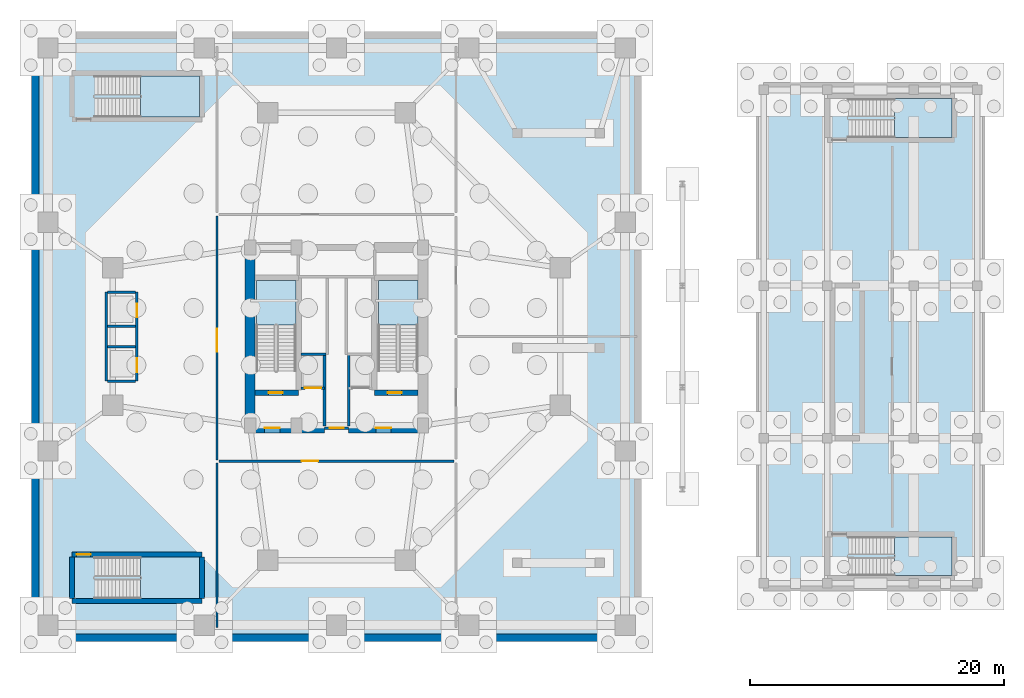
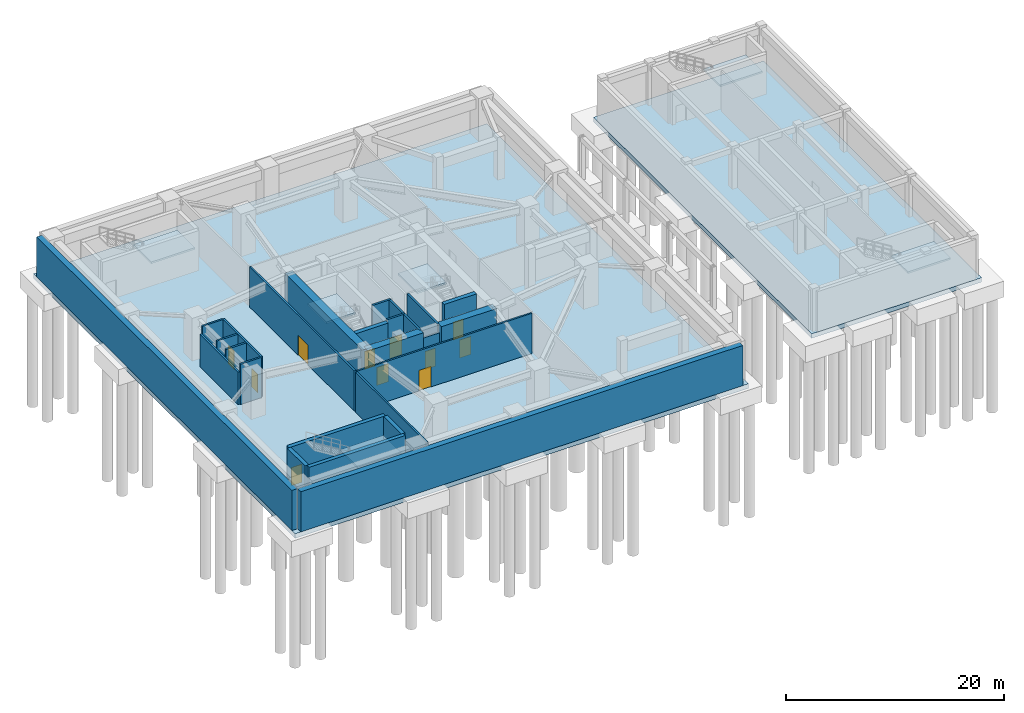
# One storey, part 6 of 11: 25 walls, 11 doors, 8 slabs, 11 openings, 6 elements without a shape of their own.
"""IFC4 building model written with IfcOpenShell, lengths in metres."""

from ifc_helpers import new_model, si_unit, direction, frame, frame_2d, origin, place, context, subcontext, project, spatial, polyline, rectangle, outline, extrude, source, transform, mapped, material, layer, layer_set, type_object, element, fill, aggregate, save


model = new_model("IFC4")

# Units and contexts
model_context = context("Model", 3, precision=1e-05, world=origin(), true_north=direction((0.0, 1.0)))
body_context = subcontext(model_context, "Body", "Model", "MODEL_VIEW")
ifc_project = project(units=[si_unit("LENGTHUNIT", "METRE"), si_unit("AREAUNIT", "SQUARE_METRE"), si_unit("VOLUMEUNIT", "CUBIC_METRE"), si_unit("PLANEANGLEUNIT", "RADIAN"), si_unit("MASSUNIT", "GRAM", prefix="KILO")], contexts=[model_context])

# Site, building, storey
site_placement = place(None, origin())
site = spatial("IfcSite", under=ifc_project, at=site_placement, CompositionType="ELEMENT")
building_placement = place(site_placement, origin())
building = spatial("IfcBuilding", under=site, at=building_placement, Name="Veraguas Prism Commons", CompositionType="ELEMENT")
storey_placement = place(building_placement, frame((0.0, 0.0, -10.0)))
storey = spatial("IfcBuildingStorey", under=building, at=storey_placement, Name="B2", CompositionType="ELEMENT", Elevation=-10.0)

# Slabs
ifc_material_1 = material(Name="Concrete C45/55", Category="concrete")
ifc_layer_1 = layer(ifc_material_1, 0.5, Name="Metro Substructure Base Slab RC 500", Category="concrete")
ifc_layer_set_1 = layer_set([ifc_layer_1], Name="Concrete C45/55")
slab_type_1 = type_object("IfcSlabType", Name="Metro Substructure Base Slab RC 500", PredefinedType="BASESLAB", material=ifc_layer_set_1)
slab_1_placement = place(storey_placement, frame((0.0, 0.0, -0.5)))
element("IfcSlab", 1, at=slab_1_placement, inside=storey, type_object=slab_type_1, Name="Podium and Station Slab B2", PredefinedType="BASESLAB", context=body_context, shape_type="SweptSolid", body=[
    extrude(outline(polyline([(0.0, 0.0), (48.0, 0.0), (48.0, 48.0), (0.0, 48.0), (0.0, 0.0)])), origin(), (0.0, 0.0, 1.0), 0.5),
])
slab_2_placement = place(storey_placement, frame((0.0, 0.0, -0.5)))
element("IfcSlab", 2, at=slab_2_placement, inside=storey, type_object=slab_type_1, Name="Health Centre Floor Slab B2", PredefinedType="BASESLAB", context=body_context, shape_type="SweptSolid", body=[
    extrude(outline(polyline([(57.0, 4.0), (75.0, 4.0), (75.0, 44.0), (57.0, 44.0), (57.0, 4.0)])), origin(), (0.0, 0.0, 1.0), 0.5),
])

# Stair, slab
ifc_material_2 = material(Name="Precast concrete C45/55", Category="concrete")
stair_type_1 = type_object("IfcStairType", Name="Dogleg Core Stair 1480W 28R 01", PredefinedType="HALF_TURN_STAIR", material=ifc_material_2)
stair_1_placement = place(storey_placement, origin())
stair_1 = element("IfcStair", 3, at=stair_1_placement, inside=storey, type_object=stair_type_1, Name="Protected Exit Stair ST-01 B2", PredefinedType="HALF_TURN_STAIR")
ifc_layer_2 = layer(ifc_material_2, 0.199951171875, Name="Precast Stair and Ramp Landing Slab 200", Category="concrete")
ifc_layer_set_2 = layer_set([ifc_layer_2], Name="Precast concrete C45/55")
slab_type_2 = type_object("IfcSlabType", Name="Precast Stair and Ramp Landing Slab 200", PredefinedType="LANDING", material=ifc_layer_set_2)
slab_3_placement = place(storey_placement, frame((0.0, 0.0, 2.199951171875)))
slab_3 = element("IfcSlab", 4, at=slab_3_placement, type_object=slab_type_2, Name="ST-01 Landing 1", PredefinedType="LANDING", context=body_context, shape_type="SweptSolid", body=[
    extrude(outline(polyline([(20.800048828125, 24.919921875), (20.800048828125, 28.39990234375), (17.68994140625, 28.39990234375), (17.68994140625, 24.919921875), (20.800048828125, 24.919921875)])), origin(), (0.0, 0.0, 1.0), 0.199951171875),
])
aggregate(stair_1, [slab_3])

stair_2_placement = place(storey_placement, origin())
stair_2 = element("IfcStair", 5, at=stair_2_placement, inside=storey, type_object=stair_type_1, Name="Protected Exit Stair ST-02 B2", PredefinedType="HALF_TURN_STAIR")
slab_4_placement = place(storey_placement, frame((0.0, 0.0, 2.199951171875)))
slab_4 = element("IfcSlab", 6, at=slab_4_placement, type_object=slab_type_2, Name="ST-01 Landing 1", PredefinedType="LANDING", context=body_context, shape_type="SweptSolid", body=[
    extrude(outline(polyline([(30.39990234375, 24.919921875), (30.39990234375, 28.39990234375), (27.2900390625, 28.39990234375), (27.2900390625, 24.919921875), (30.39990234375, 24.919921875)])), origin(), (0.0, 0.0, 1.0), 0.199951171875),
])
aggregate(stair_2, [slab_4])

stair_type_2 = type_object("IfcStairType", Name="Dogleg Core Stair 1550W 28R 09", PredefinedType="HALF_TURN_STAIR", material=ifc_material_2)
stair_3_placement = place(storey_placement, origin())
stair_3 = element("IfcStair", 7, at=stair_3_placement, inside=storey, type_object=stair_type_2, Name="Protected Exit Stair ST-M1 B2", PredefinedType="HALF_TURN_STAIR")
slab_5_placement = place(storey_placement, frame((0.0, 0.0, 2.199951171875)))
slab_5 = element("IfcSlab", 8, at=slab_5_placement, type_object=slab_type_2, Name="ST-09 Landing 1", PredefinedType="LANDING", context=body_context, shape_type="SweptSolid", body=[
    extrude(outline(polyline([(8.590087890625, 3.39990234375), (13.199951171875, 3.39990234375), (13.199951171875, 6.64990234375), (8.590087890625, 6.64990234375), (8.590087890625, 3.39990234375)])), origin(), (0.0, 0.0, 1.0), 0.199951171875),
])
aggregate(stair_3, [slab_5])

stair_4_placement = place(storey_placement, origin())
stair_4 = element("IfcStair", 9, at=stair_4_placement, inside=storey, type_object=stair_type_2, Name="Protected Exit Stair ST-M2 B2", PredefinedType="HALF_TURN_STAIR")
slab_6_placement = place(storey_placement, frame((0.0, 0.0, 2.199951171875)))
slab_6 = element("IfcSlab", 10, at=slab_6_placement, type_object=slab_type_2, Name="ST-09 Landing 1", PredefinedType="LANDING", context=body_context, shape_type="SweptSolid", body=[
    extrude(outline(polyline([(8.590087890625, 41.260009765625), (13.199951171875, 41.260009765625), (13.199951171875, 44.510009765625), (8.590087890625, 44.510009765625), (8.590087890625, 41.260009765625)])), origin(), (0.0, 0.0, 1.0), 0.199951171875),
])
aggregate(stair_4, [slab_6])

stair_type_3 = type_object("IfcStairType", Name="Dogleg Core Stair 1450W 28R 12", PredefinedType="HALF_TURN_STAIR", material=ifc_material_2)
stair_5_placement = place(storey_placement, origin())
stair_5 = element("IfcStair", 11, at=stair_5_placement, inside=storey, type_object=stair_type_3, Name="Protected Exit Stair ST-H1 B2", PredefinedType="HALF_TURN_STAIR")
slab_7_placement = place(storey_placement, frame((0.0, 0.0, 2.199951171875)))
slab_7 = element("IfcSlab", 12, at=slab_7_placement, type_object=slab_type_2, Name="ST-12 Landing 1", PredefinedType="LANDING", context=body_context, shape_type="SweptSolid", body=[
    extrude(outline(polyline([(67.889892578125, 5.199951171875), (72.39990234375, 5.199951171875), (72.39990234375, 8.25), (67.889892578125, 8.25), (67.889892578125, 5.199951171875)])), origin(), (0.0, 0.0, 1.0), 0.199951171875),
])
aggregate(stair_5, [slab_7])

stair_6_placement = place(storey_placement, origin())
stair_6 = element("IfcStair", 13, at=stair_6_placement, inside=storey, type_object=stair_type_3, Name="Protected Exit Stair ST-H2 B2", PredefinedType="HALF_TURN_STAIR")
slab_8_placement = place(storey_placement, frame((0.0, 0.0, 2.199951171875)))
slab_8 = element("IfcSlab", 14, at=slab_8_placement, type_object=slab_type_2, Name="ST-12 Landing 1", PredefinedType="LANDING", context=body_context, shape_type="SweptSolid", body=[
    extrude(outline(polyline([(67.889892578125, 39.659912109375), (72.39990234375, 39.659912109375), (72.39990234375, 42.7099609375), (67.889892578125, 42.7099609375), (67.889892578125, 39.659912109375)])), origin(), (0.0, 0.0, 1.0), 0.199951171875),
])
aggregate(stair_6, [slab_8])

# Walls
ifc_material_3 = material(Name="Concrete C50/60", Category="concrete")
ifc_layer_3 = layer(ifc_material_3, 0.60009765625, Name="Basement Perimeter Retaining Wall RC 600", Category="concrete")
ifc_layer_set_3 = layer_set([ifc_layer_3], Name="Concrete C50/60")
wall_type_1 = type_object("IfcWallType", Name="Basement Perimeter Retaining Wall RC 600", PredefinedType="SOLIDWALL", material=ifc_layer_set_3)
for number, where, z_axis, x_axis, name in (
    (15, (0.60009765625, 0.300048828125, 0.0), (0.0, 0.0, 1.0), (1.0, 0.0, 0.0), "Basement Retaining Wall B2-S"),
    (16, (0.300048828125, 47.39990234375, 0.0), (0.0, 0.0, 1.0), (0.0, -1.0, 0.0), "Basement Retaining Wall B2-W"),
):
    element("IfcWall", number, at=place(storey_placement, frame(where, z_axis=z_axis, x_axis=x_axis)), inside=storey, type_object=wall_type_1, Name=name, PredefinedType="SOLIDWALL", context=body_context, shape_type="SweptSolid", body=[
        extrude(rectangle(XDim=46.7998046875, YDim=0.60009765625, at=frame_2d((23.39990234375, 0.0))), origin(), (0.0, 0.0, 1.0), 4.5),
    ])
ifc_layer_4 = layer(ifc_material_3, 0.39990234375, Name="Clinic and Mid Core Shear Wall RC 400", Category="concrete")
ifc_layer_set_4 = layer_set([ifc_layer_4], Name="Concrete C50/60")
wall_type_2 = type_object("IfcWallType", Name="Clinic and Mid Core Shear Wall RC 400", PredefinedType="SHEAR", material=ifc_layer_set_4)
wall_1_placement = place(storey_placement, frame((3.199951171875, 3.199951171875, 0.0), z_axis=(0.0, 0.0, 1.0), x_axis=(1.0, 0.0, 0.0)))
element("IfcWall", 17, at=wall_1_placement, inside=storey, type_object=wall_type_2, Name="ST-M1 South Shear Wall B2", PredefinedType="SHEAR", context=body_context, shape_type="SweptSolid", body=[
    extrude(rectangle(XDim=10.199951171875, YDim=0.39990234375, at=frame_2d((5.10009765625, 0.0))), origin(), (0.0, 0.0, 1.0), 4.5),
])

# Wall, opening, door
wall_2_placement = place(storey_placement, frame((3.199951171875, 6.85009765625, 0.0), z_axis=(0.0, 0.0, 1.0), x_axis=(1.0, 0.0, 0.0)))
wall_2 = element("IfcWall", 18, at=wall_2_placement, inside=storey, type_object=wall_type_2, Name="ST-M1 North Shear Wall B2", PredefinedType="SHEAR", context=body_context, shape_type="SweptSolid", body=[
    extrude(rectangle(XDim=10.199951171875, YDim=0.39990234375, at=frame_2d((5.10009765625, 0.0))), origin(), (0.0, 0.0, 1.0), 4.5),
])
opening_1_placement = place(wall_2_placement, frame((0.35009765625, 0.0, 0.0)))
opening_1 = element("IfcOpeningElement", 19, at=opening_1_placement, cuts=wall_2, Name="Opening DR-05", PredefinedType="OPENING", context=body_context, shape_type="SweptSolid", body=[
    extrude(rectangle(XDim=1.10009765625, YDim=2.030029296875, at=frame_2d((0.550048828125, 1.01513671875))), frame((0.0, 0.2099609375, 0.0), z_axis=(0.0, -1.0, 0.0), x_axis=(1.0, 0.0, 0.0)), (0.0, 0.0, 1.0), 0.419921875),
])
ifc_material_4 = material(Name="Steel fire-rated door assembly", Category="steel")
door_type_1 = type_object("IfcDoorType", Name="Protected Stair and Refuge Fire Door 1100x2030", OperationType="NOTDEFINED", PredefinedType="DOOR", material=ifc_material_4)
shared_shape_1 = source(origin(), body_context, "Body", "SweptSolid", [
    extrude(rectangle(XDim=1.10009765625, YDim=2.030029296875, at=frame_2d((0.550048828125, 1.01513671875))), frame((0.0, 0.02490234375, 0.0), z_axis=(0.0, -1.0, 0.0), x_axis=(1.0, 0.0, 0.0)), (0.0, 0.0, 1.0), 0.050048828125),
])
door_1_placement = place(opening_1_placement, origin())
door_1 = element("IfcDoor", 20, at=door_1_placement, inside=storey, type_object=door_type_1, Name="Metro Stair ST-M1 Door B2", OperationType="SINGLE_SWING_RIGHT", OverallHeight=2.030029296875, OverallWidth=1.10009765625, PredefinedType="DOOR", context=body_context, shape_type="MappedRepresentation", body=[
    mapped(shared_shape_1, transform((0.0, 0.0, 0.0), scale=1.0)),
])
fill(opening_1, door_1)

# Walls
for number, where, z_axis, x_axis, name in (
    (21, (3.199951171875, 3.39990234375, 0.0), (0.0, 0.0, 1.0), (0.0, 1.0, 0.0), "ST-M1 West Shear Wall B2"),
    (22, (13.39990234375, 3.39990234375, 0.0), (0.0, 0.0, 1.0), (0.0, 1.0, 0.0), "ST-M1 East Shear Wall B2"),
):
    element("IfcWall", number, at=place(storey_placement, frame(where, z_axis=z_axis, x_axis=x_axis)), inside=storey, type_object=wall_type_2, Name=name, PredefinedType="SHEAR", context=body_context, shape_type="SweptSolid", body=[
        extrude(rectangle(XDim=3.25, YDim=0.39990234375, at=frame_2d((1.625, 0.0))), origin(), (0.0, 0.0, 1.0), 4.5),
    ])

# Wall, opening, door
ifc_material_5 = material(Name="Concrete C60/75", Category="concrete")
ifc_layer_5 = layer(ifc_material_5, 0.449951171875, Name="Core Internal Shear Wall Lower RC 450", Category="concrete")
ifc_layer_set_5 = layer_set([ifc_layer_5], Name="Concrete C60/75")
wall_type_3 = type_object("IfcWallType", Name="Core Internal Shear Wall Lower RC 450", PredefinedType="SHEAR", material=ifc_layer_set_5)
wall_3_placement = place(storey_placement, frame((17.60009765625, 19.574951171875, 0.0), z_axis=(0.0, 0.0, 1.0), x_axis=(1.0, 0.0, 0.0)))
wall_3 = element("IfcWall", 23, at=wall_3_placement, inside=storey, type_object=wall_type_3, Name="Stair ST-01 South Shear Wall B2", PredefinedType="SHEAR", context=body_context, shape_type="SweptSolid", body=[
    extrude(rectangle(XDim=3.4248046875, YDim=0.449951171875, at=frame_2d((1.71240234375, 0.0))), origin(), (0.0, 0.0, 1.0), 4.5),
])
opening_2_placement = place(wall_3_placement, frame((1.050048828125, 0.0, 0.0)))
opening_2 = element("IfcOpeningElement", 24, at=opening_2_placement, cuts=wall_3, Name="Opening DR-05", PredefinedType="OPENING", context=body_context, shape_type="SweptSolid", body=[
    extrude(rectangle(XDim=1.10009765625, YDim=2.030029296875, at=frame_2d((0.550048828125, 1.01513671875))), frame((0.0, 0.23486328125, 0.0), z_axis=(0.0, -1.0, 0.0), x_axis=(1.0, 0.0, 0.0)), (0.0, 0.0, 1.0), 0.469970703125),
])
door_2_placement = place(opening_2_placement, origin())
door_2 = element("IfcDoor", 25, at=door_2_placement, inside=storey, type_object=door_type_1, Name="Stair ST-01 Enclosure Door B2", OperationType="SINGLE_SWING_RIGHT", OverallHeight=2.030029296875, OverallWidth=1.10009765625, PredefinedType="DOOR", context=body_context, shape_type="MappedRepresentation", body=[
    mapped(shared_shape_1, transform((0.0, 0.0, 0.0), scale=1.0)),
])
fill(opening_2, door_2)

wall_4_placement = place(storey_placement, frame((26.97509765625, 19.574951171875, 0.0), z_axis=(0.0, 0.0, 1.0), x_axis=(1.0, 0.0, 0.0)))
wall_4 = element("IfcWall", 26, at=wall_4_placement, inside=storey, type_object=wall_type_3, Name="Stair ST-02 South Shear Wall B2", PredefinedType="SHEAR", context=body_context, shape_type="SweptSolid", body=[
    extrude(rectangle(XDim=3.4248046875, YDim=0.449951171875, at=frame_2d((1.71240234375, 0.0))), origin(), (0.0, 0.0, 1.0), 4.5),
])
opening_3_placement = place(wall_4_placement, frame((1.050048828125, 0.0, 0.0)))
opening_3 = element("IfcOpeningElement", 27, at=opening_3_placement, cuts=wall_4, Name="Opening DR-05", PredefinedType="OPENING", context=body_context, shape_type="SweptSolid", body=[
    extrude(rectangle(XDim=1.10009765625, YDim=2.030029296875, at=frame_2d((0.550048828125, 1.01513671875))), frame((0.0, 0.23486328125, 0.0), z_axis=(0.0, -1.0, 0.0), x_axis=(1.0, 0.0, 0.0)), (0.0, 0.0, 1.0), 0.469970703125),
])
door_3_placement = place(opening_3_placement, origin())
door_3 = element("IfcDoor", 28, at=door_3_placement, inside=storey, type_object=door_type_1, Name="Stair ST-02 Enclosure Door B2", OperationType="SINGLE_SWING_LEFT", OverallHeight=2.030029296875, OverallWidth=1.10009765625, PredefinedType="DOOR", context=body_context, shape_type="MappedRepresentation", body=[
    mapped(shared_shape_1, transform((0.0, 0.0, 0.0), scale=1.0)),
])
fill(opening_3, door_3)

# Wall
ifc_layer_6 = layer(ifc_material_5, 0.800048828125, Name="Core Outer Shear Wall Lower RC 800", Category="concrete")
ifc_layer_set_6 = layer_set([ifc_layer_6], Name="Concrete C60/75")
wall_type_4 = type_object("IfcWallType", Name="Core Outer Shear Wall Lower RC 800", PredefinedType="SHEAR", material=ifc_layer_set_6)
wall_5_placement = place(storey_placement, frame((17.199951171875, 16.800048828125, 0.0), z_axis=(0.0, 0.0, 1.0), x_axis=(0.0, 1.0, 0.0)))
element("IfcWall", 29, at=wall_5_placement, inside=storey, type_object=wall_type_4, Name="Central Core West Shear Wall B2", PredefinedType="SHEAR", context=body_context, shape_type="SweptSolid", body=[
    extrude(rectangle(XDim=14.199951171875, YDim=0.800048828125, at=frame_2d((7.10009765625, 0.0))), origin(), (0.0, 0.0, 1.0), 4.5),
])

# Wall, opening, door
wall_6_placement = place(storey_placement, frame((17.199951171875, 16.800048828125, 0.0), z_axis=(0.0, 0.0, 1.0), x_axis=(1.0, 0.0, 0.0)))
wall_6 = element("IfcWall", 30, at=wall_6_placement, inside=storey, type_object=wall_type_4, Name="Central Core South-West Shear Wall B2", PredefinedType="SHEAR", context=body_context, shape_type="SweptSolid", body=[
    extrude(rectangle(XDim=5.85009765625, YDim=0.800048828125, at=frame_2d((2.925048828125, 0.0))), origin(), (0.0, 0.0, 1.0), 4.5),
])
opening_4_placement = place(wall_6_placement, frame((1.14990234375, 0.0, 0.0)))
opening_4 = element("IfcOpeningElement", 31, at=opening_4_placement, cuts=wall_6, Name="Opening DR-06", PredefinedType="OPENING", context=body_context, shape_type="SweptSolid", body=[
    extrude(rectangle(XDim=1.199951171875, YDim=2.030029296875, at=frame_2d((0.60009765625, 1.01513671875))), frame((0.0, 0.409912109375, 0.0), z_axis=(0.0, -1.0, 0.0), x_axis=(1.0, 0.0, 0.0)), (0.0, 0.0, 1.0), 0.820068359375),
])
door_type_2 = type_object("IfcDoorType", Name="Firefighting Lobby Smoke Door 1200x2030", OperationType="NOTDEFINED", PredefinedType="DOOR", material=ifc_material_4)
shared_shape_2 = source(origin(), body_context, "Body", "SweptSolid", [
    extrude(rectangle(XDim=1.199951171875, YDim=2.030029296875, at=frame_2d((0.60009765625, 1.01513671875))), frame((0.0, 0.02490234375, 0.0), z_axis=(0.0, -1.0, 0.0), x_axis=(1.0, 0.0, 0.0)), (0.0, 0.0, 1.0), 0.050048828125),
])
door_4_placement = place(opening_4_placement, origin())
door_4 = element("IfcDoor", 32, at=door_4_placement, inside=storey, type_object=door_type_2, Name="West FF Lobby Door B2", OperationType="SINGLE_SWING_LEFT", OverallHeight=2.030029296875, OverallWidth=1.199951171875, PredefinedType="DOOR", context=body_context, shape_type="MappedRepresentation", body=[
    mapped(shared_shape_2, transform((0.0, 0.0, 0.0), scale=1.0)),
])
fill(opening_4, door_4)

wall_7_placement = place(storey_placement, frame((24.949951171875, 16.800048828125, 0.0), z_axis=(0.0, 0.0, 1.0), x_axis=(1.0, 0.0, 0.0)))
wall_7 = element("IfcWall", 33, at=wall_7_placement, inside=storey, type_object=wall_type_4, Name="Central Core South-East Shear Wall B2", PredefinedType="SHEAR", context=body_context, shape_type="SweptSolid", body=[
    extrude(rectangle(XDim=5.85009765625, YDim=0.800048828125, at=frame_2d((2.925048828125, 0.0))), origin(), (0.0, 0.0, 1.0), 4.5),
])
opening_5_placement = place(wall_7_placement, frame((2.14990234375, 0.0, 0.0)))
opening_5 = element("IfcOpeningElement", 34, at=opening_5_placement, cuts=wall_7, Name="Opening DR-06", PredefinedType="OPENING", context=body_context, shape_type="SweptSolid", body=[
    extrude(rectangle(XDim=1.199951171875, YDim=2.030029296875, at=frame_2d((0.60009765625, 1.01513671875))), frame((0.0, 0.409912109375, 0.0), z_axis=(0.0, -1.0, 0.0), x_axis=(1.0, 0.0, 0.0)), (0.0, 0.0, 1.0), 0.820068359375),
])
door_5_placement = place(opening_5_placement, origin())
door_5 = element("IfcDoor", 35, at=door_5_placement, inside=storey, type_object=door_type_2, Name="East FF Lobby Door B2", OperationType="SINGLE_SWING_LEFT", OverallHeight=2.030029296875, OverallWidth=1.199951171875, PredefinedType="DOOR", context=body_context, shape_type="MappedRepresentation", body=[
    mapped(shared_shape_2, transform((0.0, 0.0, 0.0), scale=1.0)),
])
fill(opening_5, door_5)

ifc_material_6 = material(Name="Autoclaved aerated masonry block 10 MPa", Category="masonry")
ifc_layer_7 = layer(ifc_material_6, 0.179931640625, Name="Corridor and Inter-Tenancy Partition 180", Category="masonry")
ifc_layer_set_7 = layer_set([ifc_layer_7], Name="Autoclaved aerated masonry block 10 MPa")
wall_type_5 = type_object("IfcWallType", Name="Corridor and Inter-Tenancy Partition 180", PredefinedType="PARTITIONING", material=ifc_layer_set_7)
wall_8_placement = place(storey_placement, frame((14.60009765625, 14.300048828125, 0.0), z_axis=(0.0, 0.0, 1.0), x_axis=(0.0, 1.0, 0.0)))
wall_8 = element("IfcWall", 36, at=wall_8_placement, inside=storey, type_object=wall_type_5, Name="WL-B2-PT00", PredefinedType="PARTITIONING", context=body_context, shape_type="SweptSolid", body=[
    extrude(rectangle(XDim=19.199951171875, YDim=0.179931640625, at=frame_2d((9.60009765625, 0.0))), origin(), (0.0, 0.0, 1.0), 4.5),
])
opening_6_placement = place(wall_8_placement, frame((8.5, 0.0, 0.0)))
opening_6 = element("IfcOpeningElement", 37, at=opening_6_placement, cuts=wall_8, Name="Opening DR-07", PredefinedType="OPENING", context=body_context, shape_type="SweptSolid", body=[
    extrude(rectangle(XDim=1.800048828125, YDim=2.25, at=frame_2d((0.89990234375, 1.125))), frame((0.0, 0.099853515625, 0.0), z_axis=(0.0, -1.0, 0.0), x_axis=(1.0, 0.0, 0.0)), (0.0, 0.0, 1.0), 0.199951171875),
])
door_type_3 = type_object("IfcDoorType", Name="Corridor Double Fire Door 1800x2250", OperationType="NOTDEFINED", PredefinedType="DOOR", material=ifc_material_4)
shared_shape_3 = source(origin(), body_context, "Body", "SweptSolid", [
    extrude(rectangle(XDim=1.800048828125, YDim=2.25, at=frame_2d((0.89990234375, 1.125))), frame((0.0, 0.02490234375, 0.0), z_axis=(0.0, -1.0, 0.0), x_axis=(1.0, 0.0, 0.0)), (0.0, 0.0, 1.0), 0.050048828125),
])
door_6_placement = place(opening_6_placement, origin())
door_6 = element("IfcDoor", 38, at=door_6_placement, inside=storey, type_object=door_type_3, Name="Metro Platform Hall Door B2", OperationType="SINGLE_SWING_RIGHT", OverallHeight=2.25, OverallWidth=1.800048828125, PredefinedType="DOOR", context=body_context, shape_type="MappedRepresentation", body=[
    mapped(shared_shape_3, transform((0.0, 0.0, 0.0), scale=1.0)),
])
fill(opening_6, door_6)

wall_9_placement = place(storey_placement, frame((14.75, 14.199951171875, 0.0), z_axis=(0.0, 0.0, 1.0), x_axis=(1.0, 0.0, 0.0)))
wall_9 = element("IfcWall", 39, at=wall_9_placement, inside=storey, type_object=wall_type_5, Name="WL-B2-PT01", PredefinedType="PARTITIONING", context=body_context, shape_type="SweptSolid", body=[
    extrude(rectangle(XDim=18.5, YDim=0.179931640625, at=frame_2d((9.25, 0.0))), origin(), (0.0, 0.0, 1.0), 4.5),
])
opening_7_placement = place(wall_9_placement, frame((6.5, 0.0, 0.0)))
opening_7 = element("IfcOpeningElement", 40, at=opening_7_placement, cuts=wall_9, Name="Opening DR-11", PredefinedType="OPENING", context=body_context, shape_type="SweptSolid", body=[
    extrude(rectangle(XDim=1.300048828125, YDim=2.300048828125, at=frame_2d((0.64990234375, 1.14990234375))), frame((0.0, 0.099853515625, 0.0), z_axis=(0.0, -1.0, 0.0), x_axis=(1.0, 0.0, 0.0)), (0.0, 0.0, 1.0), 0.199951171875),
])
door_type_4 = type_object("IfcDoorType", Name="Mechanical Plant Room Door 1300x2300", OperationType="NOTDEFINED", PredefinedType="DOOR", material=ifc_material_4)
shared_shape_4 = source(origin(), body_context, "Body", "SweptSolid", [
    extrude(rectangle(XDim=1.300048828125, YDim=2.300048828125, at=frame_2d((0.64990234375, 1.14990234375))), frame((0.0, 0.02490234375, 0.0), z_axis=(0.0, -1.0, 0.0), x_axis=(1.0, 0.0, 0.0)), (0.0, 0.0, 1.0), 0.050048828125),
])
door_7_placement = place(opening_7_placement, origin())
door_7 = element("IfcDoor", 41, at=door_7_placement, inside=storey, type_object=door_type_4, Name="Traction Plant Door B2", OperationType="SINGLE_SWING_LEFT", OverallHeight=2.300048828125, OverallWidth=1.300048828125, PredefinedType="DOOR", context=body_context, shape_type="MappedRepresentation", body=[
    mapped(shared_shape_4, transform((0.0, 0.0, 0.0), scale=1.0)),
])
fill(opening_7, door_7)

# Wall
wall_10_placement = place(storey_placement, frame((14.60009765625, 1.10009765625, 0.0), z_axis=(0.0, 0.0, 1.0), x_axis=(0.0, 1.0, 0.0)))
element("IfcWall", 42, at=wall_10_placement, inside=storey, type_object=wall_type_5, Name="WL-B2-PT01C", PredefinedType="PARTITIONING", context=body_context, shape_type="SweptSolid", body=[
    extrude(rectangle(XDim=12.949951171875, YDim=0.179931640625, at=frame_2d((6.47509765625, 0.0))), origin(), (0.0, 0.0, 1.0), 4.5),
])

# Wall, opening, door
ifc_layer_8 = layer(ifc_material_6, 0.199951171875, Name="Rated Shaft and Lobby Block Wall 200", Category="masonry")
ifc_layer_set_8 = layer_set([ifc_layer_8], Name="Autoclaved aerated masonry block 10 MPa")
wall_type_6 = type_object("IfcWallType", Name="Rated Shaft and Lobby Block Wall 200", PredefinedType="SOLIDWALL", material=ifc_layer_set_8)
wall_11_placement = place(storey_placement, frame((23.050048828125, 16.800048828125, 0.0), z_axis=(0.0, 0.0, 1.0), x_axis=(1.0, 0.0, 0.0)))
wall_11 = element("IfcWall", 43, at=wall_11_placement, inside=storey, type_object=wall_type_6, Name="Central Core Lobby Entrance Wall B2", PredefinedType="SOLIDWALL", context=body_context, shape_type="SweptSolid", body=[
    extrude(rectangle(XDim=1.89990234375, YDim=0.199951171875, at=frame_2d((0.949951171875, 0.0))), origin(), (0.0, 0.0, 1.0), 3.64990234375),
])
opening_8_placement = place(wall_11_placement, frame((0.39990234375, 0.0, 0.0)))
opening_8 = element("IfcOpeningElement", 44, at=opening_8_placement, cuts=wall_11, Name="Opening DR-05", PredefinedType="OPENING", context=body_context, shape_type="SweptSolid", body=[
    extrude(rectangle(XDim=1.10009765625, YDim=2.030029296875, at=frame_2d((0.550048828125, 1.01513671875))), frame((0.0, 0.10986328125, 0.0), z_axis=(0.0, -1.0, 0.0), x_axis=(1.0, 0.0, 0.0)), (0.0, 0.0, 1.0), 0.219970703125),
])
door_8_placement = place(opening_8_placement, origin())
door_8 = element("IfcDoor", 45, at=door_8_placement, inside=storey, type_object=door_type_1, Name="Central Lobby Door B2", OperationType="SINGLE_SWING_RIGHT", OverallHeight=2.030029296875, OverallWidth=1.10009765625, PredefinedType="DOOR", context=body_context, shape_type="MappedRepresentation", body=[
    mapped(shared_shape_1, transform((0.0, 0.0, 0.0), scale=1.0)),
])
fill(opening_8, door_8)

wall_12_placement = place(storey_placement, frame((21.199951171875, 19.949951171875, 0.0), z_axis=(0.0, 0.0, 1.0), x_axis=(1.0, 0.0, 0.0)))
wall_12 = element("IfcWall", 46, at=wall_12_placement, inside=storey, type_object=wall_type_6, Name="Firefighting Lift FFL-1 Front Wall B2", PredefinedType="SOLIDWALL", context=body_context, shape_type="SweptSolid", body=[
    extrude(rectangle(XDim=1.85009765625, YDim=0.199951171875, at=frame_2d((0.925048828125, 0.0))), origin(), (0.0, 0.0, 1.0), 4.5),
])
opening_9_placement = place(wall_12_placement, frame((0.300048828125, 0.0, 0.0)))
opening_9 = element("IfcOpeningElement", 47, at=opening_9_placement, cuts=wall_12, Name="Opening LD-02", PredefinedType="OPENING", context=body_context, shape_type="SweptSolid", body=[
    extrude(rectangle(XDim=1.300048828125, YDim=2.25, at=frame_2d((0.64990234375, 1.125))), frame((0.0, 0.10986328125, 0.0), z_axis=(0.0, -1.0, 0.0), x_axis=(1.0, 0.0, 0.0)), (0.0, 0.0, 1.0), 0.219970703125),
])
ifc_material_7 = material(Name="Stainless steel AISI 316", Category="steel")
door_type_5 = type_object("IfcDoorType", Name="Firefighting Lift Sliding Landing Door 1300x2250", OperationType="NOTDEFINED", PredefinedType="DOOR", material=ifc_material_7)
shared_shape_5 = source(origin(), body_context, "Body", "SweptSolid", [
    extrude(rectangle(XDim=1.300048828125, YDim=2.25, at=frame_2d((0.64990234375, 1.125))), frame((0.0, 0.02490234375, 0.0), z_axis=(0.0, -1.0, 0.0), x_axis=(1.0, 0.0, 0.0)), (0.0, 0.0, 1.0), 0.050048828125),
])
door_9_placement = place(opening_9_placement, origin())
door_9 = element("IfcDoor", 48, at=door_9_placement, inside=storey, type_object=door_type_5, Name="Firefighting Lift FFL-1 Landing Door B2", OperationType="SLIDING_TO_LEFT", OverallHeight=2.25, OverallWidth=1.300048828125, PredefinedType="DOOR", context=body_context, shape_type="MappedRepresentation", body=[
    mapped(shared_shape_5, transform((0.0, 0.0, 0.0), scale=1.0)),
])
fill(opening_9, door_9)

# Walls
for number, where, z_axis, x_axis, name in (
    (49, (23.050048828125, 16.949951171875, 0.0), (0.0, 0.0, 1.0), (0.0, 1.0, 0.0), "West FF Lobby Divider Wall B2"),
    (50, (24.949951171875, 16.949951171875, 0.0), (0.0, 0.0, 1.0), (0.0, 1.0, 0.0), "East FF Lobby Divider Wall B2"),
):
    element("IfcWall", number, at=place(storey_placement, frame(where, z_axis=z_axis, x_axis=x_axis)), inside=storey, type_object=wall_type_6, Name=name, PredefinedType="SOLIDWALL", context=body_context, shape_type="SweptSolid", body=[
        extrude(rectangle(XDim=5.60009765625, YDim=0.199951171875, at=frame_2d((2.800048828125, 0.0))), origin(), (0.0, 0.0, 1.0), 4.5),
    ])
wall_13_placement = place(storey_placement, frame((21.199951171875, 22.60009765625, 0.0), z_axis=(0.0, 0.0, 1.0), x_axis=(1.0, 0.0, 0.0)))
element("IfcWall", 51, at=wall_13_placement, inside=storey, type_object=wall_type_6, Name="Firefighting Lift FFL-1 Rear Wall B2", PredefinedType="SOLIDWALL", context=body_context, shape_type="SweptSolid", body=[
    extrude(rectangle(XDim=1.949951171875, YDim=0.199951171875, at=frame_2d((0.97509765625, 0.0))), origin(), (0.0, 0.0, 1.0), 4.5),
])

# Wall, openings, doors
wall_14_placement = place(storey_placement, frame((8.300048828125, 20.5, 0.0), z_axis=(0.0, 0.0, 1.0), x_axis=(0.0, 1.0, 0.0)))
wall_14 = element("IfcWall", 52, at=wall_14_placement, inside=storey, type_object=wall_type_6, Name="Metro Lift Shaft Front Wall B2", PredefinedType="SOLIDWALL", context=body_context, shape_type="SweptSolid", body=[
    extrude(rectangle(XDim=7.0, YDim=0.199951171875, at=frame_2d((3.5, 0.0))), origin(), (0.0, 0.0, 1.0), 4.5),
])
opening_10_placement = place(wall_14_placement, frame((0.699951171875, 0.0, 0.0)))
opening_10 = element("IfcOpeningElement", 53, at=opening_10_placement, cuts=wall_14, Name="Opening LD-01", PredefinedType="OPENING", context=body_context, shape_type="SweptSolid", body=[
    extrude(rectangle(XDim=1.10009765625, YDim=2.080078125, at=frame_2d((0.550048828125, 1.0400390625))), frame((0.0, 0.10986328125, 0.0), z_axis=(0.0, -1.0, 0.0), x_axis=(1.0, 0.0, 0.0)), (0.0, 0.0, 1.0), 0.219970703125),
])
opening_11_placement = place(wall_14_placement, frame((5.0, 0.0, 0.0)))
opening_11 = element("IfcOpeningElement", 54, at=opening_11_placement, cuts=wall_14, Name="Opening LD-01", PredefinedType="OPENING", context=body_context, shape_type="SweptSolid", body=[
    extrude(rectangle(XDim=1.10009765625, YDim=2.080078125, at=frame_2d((0.550048828125, 1.0400390625))), frame((0.0, 0.10986328125, 0.0), z_axis=(0.0, -1.0, 0.0), x_axis=(1.0, 0.0, 0.0)), (0.0, 0.0, 1.0), 0.219970703125),
])
door_type_6 = type_object("IfcDoorType", Name="Passenger Lift Sliding Landing Door 1100x2080", OperationType="NOTDEFINED", PredefinedType="DOOR", material=ifc_material_7)
shared_shape_6 = source(origin(), body_context, "Body", "SweptSolid", [
    extrude(rectangle(XDim=1.10009765625, YDim=2.080078125, at=frame_2d((0.550048828125, 1.0400390625))), frame((0.0, 0.02490234375, 0.0), z_axis=(0.0, -1.0, 0.0), x_axis=(1.0, 0.0, 0.0)), (0.0, 0.0, 1.0), 0.050048828125),
])
door_10_placement = place(opening_10_placement, origin())
door_10 = element("IfcDoor", 55, at=door_10_placement, inside=storey, type_object=door_type_6, Name="Metro Lift ML-1 Landing Door B2", OperationType="SLIDING_TO_LEFT", OverallHeight=2.080078125, OverallWidth=1.10009765625, PredefinedType="DOOR", context=body_context, shape_type="MappedRepresentation", body=[
    mapped(shared_shape_6, transform((0.0, 0.0, 0.0), scale=1.0)),
])
fill(opening_10, door_10)
door_11_placement = place(opening_11_placement, origin())
door_11 = element("IfcDoor", 56, at=door_11_placement, inside=storey, type_object=door_type_6, Name="Metro Lift ML-2 Landing Door B2", OperationType="SLIDING_TO_LEFT", OverallHeight=2.080078125, OverallWidth=1.10009765625, PredefinedType="DOOR", context=body_context, shape_type="MappedRepresentation", body=[
    mapped(shared_shape_6, transform((0.0, 0.0, 0.0), scale=1.0)),
])
fill(opening_11, door_11)

# Walls
wall_15_placement = place(storey_placement, frame((5.89990234375, 20.5, 0.0), z_axis=(0.0, 0.0, 1.0), x_axis=(0.0, 1.0, 0.0)))
element("IfcWall", 57, at=wall_15_placement, inside=storey, type_object=wall_type_6, Name="Metro Lift Shaft Rear Wall B2", PredefinedType="SOLIDWALL", context=body_context, shape_type="SweptSolid", body=[
    extrude(rectangle(XDim=7.0, YDim=0.199951171875, at=frame_2d((3.5, 0.0))), origin(), (0.0, 0.0, 1.0), 3.632080078125),
])
for number, where, z_axis, x_axis, name in (
    (58, (6.0, 20.5, 0.0), (0.0, 0.0, 1.0), (1.0, 0.0, 0.0), "Metro Lift Shaft South Wall B2"),
    (59, (6.0, 27.5, 0.0), (0.0, 0.0, 1.0), (1.0, 0.0, 0.0), "Metro Lift Shaft North Wall B2"),
    (60, (6.0, 23.199951171875, 0.0), (0.0, 0.0, 1.0), (1.0, 0.0, 0.0), "Metro Lift ML-1 North Divider Wall B2"),
    (61, (6.0, 24.800048828125, 0.0), (0.0, 0.0, 1.0), (1.0, 0.0, 0.0), "Metro Lift ML-2 South Divider Wall B2"),
):
    element("IfcWall", number, at=place(storey_placement, frame(where, z_axis=z_axis, x_axis=x_axis)), inside=storey, type_object=wall_type_6, Name=name, PredefinedType="SOLIDWALL", context=body_context, shape_type="SweptSolid", body=[
        extrude(rectangle(XDim=2.199951171875, YDim=0.199951171875, at=frame_2d((1.10009765625, 0.0))), origin(), (0.0, 0.0, 1.0), 4.5),
    ])

save(model, "model.ifc")
